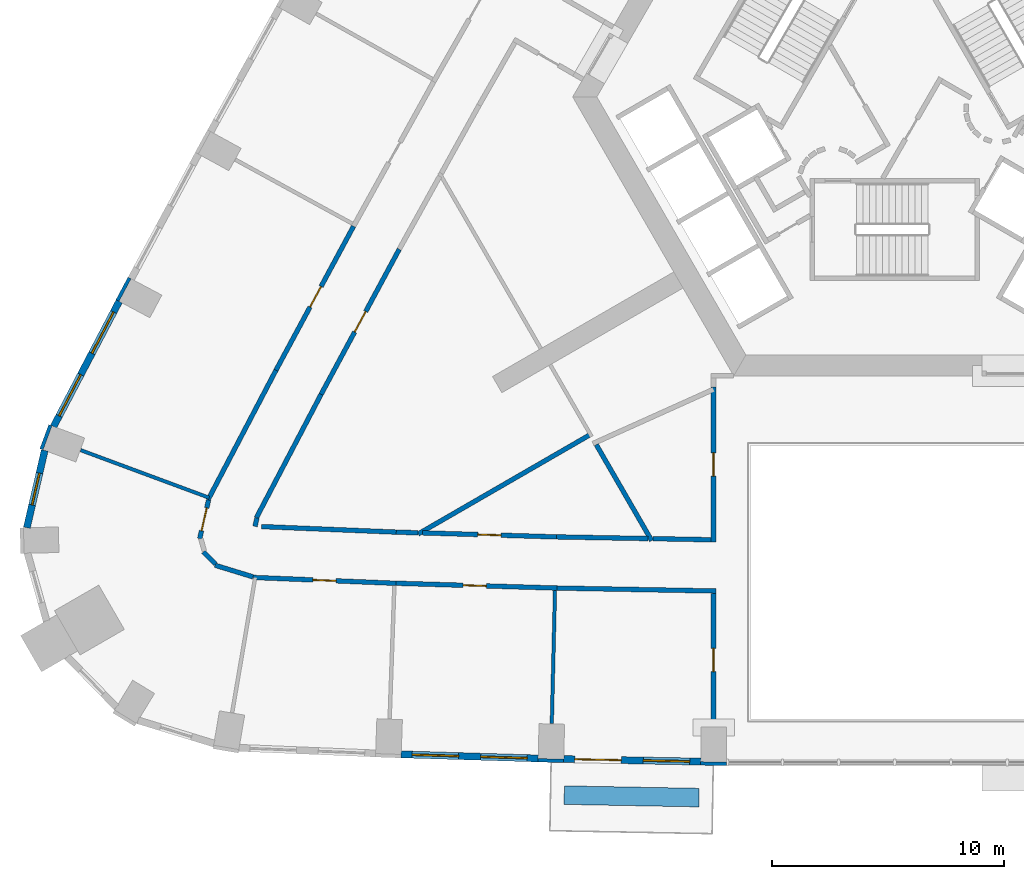
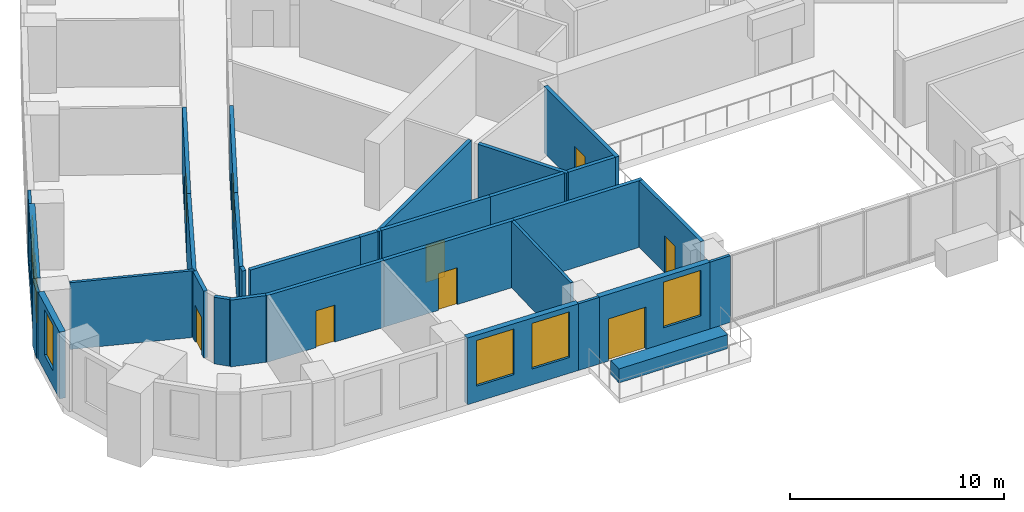
# One storey, part 4 of 13: 31 walls, 9 doors, 6 windows, 15 openings.
"""IFC4 building model written with IfcOpenShell, lengths in metres."""

from ifc_helpers import new_model, si_unit, direction, frame, frame_2d, origin, place, context, subcontext, project, spatial, rectangle, extrude, material, layer, layer_set, type_object, element, fill, save


model = new_model("IFC4")

# Units and contexts
model_context = context("Model", 3, precision=1e-05, world=origin(), true_north=direction((0.0, 1.0)))
body_context = subcontext(model_context, "Body", "Model", "MODEL_VIEW")
ifc_project = project(units=[si_unit("LENGTHUNIT", "METRE"), si_unit("AREAUNIT", "SQUARE_METRE"), si_unit("VOLUMEUNIT", "CUBIC_METRE"), si_unit("PLANEANGLEUNIT", "RADIAN"), si_unit("MASSUNIT", "GRAM", prefix="KILO")], contexts=[model_context])

# Site, building, storey
site_placement = place(None, origin())
site = spatial("IfcSite", under=ifc_project, at=site_placement, CompositionType="ELEMENT")
building_placement = place(site_placement, origin())
building = spatial("IfcBuilding", under=site, at=building_placement, Name="Entoto Arch Interchange Tower", CompositionType="ELEMENT")
storey_placement = place(building_placement, frame((0.0, 0.0, 90.800048828125)))
storey = spatial("IfcBuildingStorey", under=building, at=storey_placement, Name="L19", CompositionType="ELEMENT", Elevation=90.800048828125)

# Walls
ifc_material_1 = material(Name="Gypsum board partition on steel studs", Category="steel")
ifc_layer_1 = layer(ifc_material_1, 0.14990234375)
ifc_layer_set_1 = layer_set([ifc_layer_1], Name="Gypsum board partition on steel studs")
wall_type_1 = type_object("IfcWallType", Name="PARTITION 150", PredefinedType="PARTITIONING", material=ifc_layer_set_1)
wall_1_placement = place(storey_placement, frame((-29.493896484375, -14.740966796875, 0.0), z_axis=(0.0, 0.0, 1.0), x_axis=(-0.937719767819, 0.347392626636, 0.0)))
element("IfcWall", 1, at=wall_1_placement, inside=storey, type_object=wall_type_1, Name="wall:L19:p128", PredefinedType="PARTITIONING", context=body_context, shape_type="SweptSolid", body=[
    extrude(rectangle(XDim=5.89208984375, YDim=0.14990234375, at=frame_2d((2.946044921875, 0.0))), origin(), (0.0, 0.0, 1.0), 3.800048828125),
])
wall_2_placement = place(storey_placement, frame((-14.616943359375, -18.72412109375, 0.0), z_axis=(0.0, 0.0, 1.0), x_axis=(-0.02407553942, -0.999710142192, 0.0)))
element("IfcWall", 2, at=wall_2_placement, inside=storey, type_object=wall_type_1, Name="wall:L19:p131", PredefinedType="PARTITIONING", context=body_context, shape_type="SweptSolid", body=[
    extrude(rectangle(XDim=5.7294921875, YDim=0.14990234375, at=frame_2d((2.86474609375, 0.0))), origin(), (0.0, 0.0, 1.0), 3.800048828125),
])
ifc_layer_2 = layer(ifc_material_1, 0.199951171875)
ifc_layer_set_2 = layer_set([ifc_layer_2], Name="Gypsum board partition on steel studs")
wall_type_2 = type_object("IfcWallType", Name="PARTITION 200", PredefinedType="PARTITIONING", material=ifc_layer_set_2)
wall_3_placement = place(storey_placement, frame((-10.407958984375, -16.5009765625, 0.0), z_axis=(0.0, 0.0, 1.0), x_axis=(0.999823568917, -0.018783797216, 0.0)))
element("IfcWall", 3, at=wall_3_placement, inside=storey, type_object=wall_type_2, Name="wall:L19:p022", PredefinedType="PARTITIONING", context=body_context, shape_type="SweptSolid", body=[
    extrude(rectangle(XDim=2.508544921875, YDim=0.199951171875, at=frame_2d((1.25439453125, 0.0))), origin(), (0.0, 0.0, 1.0), 3.800048828125),
])

# Wall, opening, door
wall_4_placement = place(storey_placement, frame((-21.31689453125, -4.052978515625, 0.0), z_axis=(0.0, 0.0, 1.0), x_axis=(-0.474391588657, -0.880313932987, 0.0)))
wall_4 = element("IfcWall", 4, at=wall_4_placement, inside=storey, type_object=wall_type_2, Name="wall:L19:p024", PredefinedType="PARTITIONING", context=body_context, shape_type="SweptSolid", body=[
    extrude(rectangle(XDim=7.0849609375, YDim=0.199951171875, at=frame_2d((3.54248046875, 0.0))), origin(), (0.0, 0.0, 1.0), 3.800048828125),
])
opening_1_placement = place(wall_4_placement, frame((3.0419921875, 0.0, 0.0)))
opening_1 = element("IfcOpeningElement", 5, at=opening_1_placement, cuts=wall_4, Name="Opening L19-D30", PredefinedType="OPENING", context=body_context, shape_type="SweptSolid", body=[
    extrude(rectangle(XDim=1.0, YDim=2.10009765625, at=frame_2d((0.5, 1.050048828125))), frame((0.0, 0.10986328125, 0.0), z_axis=(0.0, -1.0, 0.0), x_axis=(1.0, 0.0, 0.0)), (0.0, 0.0, 1.0), 0.219970703125),
])
ifc_material_2 = material(Name="Timber door leaf in Steel S235 frame", Category="steel")
door_type_1 = type_object("IfcDoorType", Name="DOOR DS-10 1000x2100", OperationType="SINGLE_SWING_LEFT", PredefinedType="DOOR", material=ifc_material_2)
door_1_placement = place(opening_1_placement, origin())
door_1 = element("IfcDoor", 6, at=door_1_placement, inside=storey, type_object=door_type_1, Name="door:L19:30", OperationType="SINGLE_SWING_RIGHT", OverallHeight=2.10009765625, OverallWidth=1.0, PredefinedType="DOOR", context=body_context, shape_type="SweptSolid", body=[
    extrude(rectangle(XDim=1.0, YDim=2.10009765625, at=frame_2d((0.5, 1.050048828125))), frame((0.0, 0.02490234375, 0.0), z_axis=(0.0, -1.0, 0.0), x_axis=(1.0, 0.0, 0.0)), (0.0, 0.0, 1.0), 0.050048828125),
])
fill(opening_1, door_1)

# Walls
wall_5_placement = place(storey_placement, frame((-24.677978515625, -10.2900390625, 0.0), z_axis=(0.0, 0.0, 1.0), x_axis=(-0.464203280494, -0.885728691179, 0.0)))
element("IfcWall", 7, at=wall_5_placement, inside=storey, type_object=wall_type_2, Name="wall:L19:p025", PredefinedType="PARTITIONING", context=body_context, shape_type="SweptSolid", body=[
    extrude(rectangle(XDim=5.9951171875, YDim=0.199951171875, at=frame_2d((2.99755859375, 0.0))), origin(), (0.0, 0.0, 1.0), 3.800048828125),
])
wall_6_placement = place(storey_placement, frame((-27.43701171875, -15.60888671875, 0.0), z_axis=(0.0, 0.0, 1.0), x_axis=(-0.224098195188, -0.97456656977, 0.0)))
element("IfcWall", 8, at=wall_6_placement, inside=storey, type_object=wall_type_2, Name="wall:L19:p026", PredefinedType="PARTITIONING", context=body_context, shape_type="SweptSolid", body=[
    extrude(rectangle(XDim=0.374755859375, YDim=0.199951171875, at=frame_2d((0.1875, 0.0))), origin(), (0.0, 0.0, 1.0), 3.800048828125),
])
wall_7_placement = place(storey_placement, frame((-27.239990234375, -15.98193359375, 0.0), z_axis=(0.0, 0.0, 1.0), x_axis=(0.999157128819, -0.041049140426, 0.0)))
element("IfcWall", 9, at=wall_7_placement, inside=storey, type_object=wall_type_2, Name="wall:L19:p027", PredefinedType="PARTITIONING", context=body_context, shape_type="SweptSolid", body=[
    extrude(rectangle(XDim=5.798828125, YDim=0.199951171875, at=frame_2d((2.8994140625, 0.0))), origin(), (0.0, 0.0, 1.0), 3.800048828125),
])
wall_8_placement = place(storey_placement, frame((-21.446044921875, -16.219970703125, 0.0), z_axis=(0.0, 0.0, 1.0), x_axis=(0.999542625536, -0.030241358047, 0.0)))
element("IfcWall", 10, at=wall_8_placement, inside=storey, type_object=wall_type_2, Name="wall:L19:p028", PredefinedType="PARTITIONING", context=body_context, shape_type="SweptSolid", body=[
    extrude(rectangle(XDim=0.928466796875, YDim=0.199951171875, at=frame_2d((0.46435546875, 0.0))), origin(), (0.0, 0.0, 1.0), 3.800048828125),
])

# Wall, opening, door
wall_9_placement = place(storey_placement, frame((-20.318115234375, -16.2529296875, 0.0), z_axis=(0.0, 0.0, 1.0), x_axis=(0.999553385537, -0.029883598524, 0.0)))
wall_9 = element("IfcWall", 11, at=wall_9_placement, inside=storey, type_object=wall_type_2, Name="wall:L19:p029", PredefinedType="PARTITIONING", context=body_context, shape_type="SweptSolid", body=[
    extrude(rectangle(XDim=5.759765625, YDim=0.199951171875, at=frame_2d((2.8798828125, 0.0))), origin(), (0.0, 0.0, 1.0), 3.800048828125),
])
opening_2_placement = place(wall_9_placement, frame((2.3798828125, 0.0, 0.0)))
opening_2 = element("IfcOpeningElement", 12, at=opening_2_placement, cuts=wall_9, Name="Opening L19-D31", PredefinedType="OPENING", context=body_context, shape_type="SweptSolid", body=[
    extrude(rectangle(XDim=1.0, YDim=2.10009765625, at=frame_2d((0.5, 1.050048828125))), frame((0.0, 0.10986328125, 0.0), z_axis=(0.0, -1.0, 0.0), x_axis=(1.0, 0.0, 0.0)), (0.0, 0.0, 1.0), 0.219970703125),
])
door_2_placement = place(opening_2_placement, origin())
door_2 = element("IfcDoor", 13, at=door_2_placement, inside=storey, type_object=door_type_1, Name="door:L19:31", OperationType="SINGLE_SWING_LEFT", OverallHeight=2.10009765625, OverallWidth=1.0, PredefinedType="DOOR", context=body_context, shape_type="SweptSolid", body=[
    extrude(rectangle(XDim=1.0, YDim=2.10009765625, at=frame_2d((0.5, 1.050048828125))), frame((0.0, 0.02490234375, 0.0), z_axis=(0.0, -1.0, 0.0), x_axis=(1.0, 0.0, 0.0)), (0.0, 0.0, 1.0), 0.050048828125),
])
fill(opening_2, door_2)

# Walls
wall_10_placement = place(storey_placement, frame((-14.56103515625, -16.425048828125, 0.0), z_axis=(0.0, 0.0, 1.0), x_axis=(0.999829548691, -0.018462761553, 0.0)))
element("IfcWall", 14, at=wall_10_placement, inside=storey, type_object=wall_type_2, Name="wall:L19:p030", PredefinedType="PARTITIONING", context=body_context, shape_type="SweptSolid", body=[
    extrude(rectangle(XDim=3.953857421875, YDim=0.199951171875, at=frame_2d((1.97705078125, 0.0))), origin(), (0.0, 0.0, 1.0), 3.800048828125),
])
wall_11_placement = place(storey_placement, frame((-29.541015625, -14.8291015625, 0.0), z_axis=(0.0, 0.0, 1.0), x_axis=(0.46422598759, 0.885716790202, 0.0)))
element("IfcWall", 15, at=wall_11_placement, inside=storey, type_object=wall_type_2, Name="wall:L19:p057", PredefinedType="PARTITIONING", context=body_context, shape_type="SweptSolid", body=[
    extrude(rectangle(XDim=6.289794921875, YDim=0.199951171875, at=frame_2d((3.14501953125, 0.0))), origin(), (0.0, 0.0, 1.0), 3.800048828125),
])

# Wall, opening, door
wall_12_placement = place(storey_placement, frame((-26.62109375, -9.258056640625, 0.0), z_axis=(0.0, 0.0, 1.0), x_axis=(0.474414295505, 0.880301696136, 0.0)))
wall_12 = element("IfcWall", 16, at=wall_12_placement, inside=storey, type_object=wall_type_2, Name="wall:L19:p058", PredefinedType="PARTITIONING", context=body_context, shape_type="SweptSolid", body=[
    extrude(rectangle(XDim=7.036376953125, YDim=0.199951171875, at=frame_2d((3.51806640625, 0.0))), origin(), (0.0, 0.0, 1.0), 3.800048828125),
])
opening_3_placement = place(wall_12_placement, frame((3.093017578125, 0.0, 0.0)))
opening_3 = element("IfcOpeningElement", 17, at=opening_3_placement, cuts=wall_12, Name="Opening L19-D18", PredefinedType="OPENING", context=body_context, shape_type="SweptSolid", body=[
    extrude(rectangle(XDim=1.0, YDim=2.10009765625, at=frame_2d((0.5, 1.050048828125))), frame((0.0, 0.10986328125, 0.0), z_axis=(0.0, -1.0, 0.0), x_axis=(1.0, 0.0, 0.0)), (0.0, 0.0, 1.0), 0.219970703125),
])
door_3_placement = place(opening_3_placement, origin())
door_3 = element("IfcDoor", 18, at=door_3_placement, inside=storey, type_object=door_type_1, Name="door:L19:18", OperationType="SINGLE_SWING_LEFT", OverallHeight=2.10009765625, OverallWidth=1.0, PredefinedType="DOOR", context=body_context, shape_type="SweptSolid", body=[
    extrude(rectangle(XDim=1.0, YDim=2.10009765625, at=frame_2d((0.5, 1.050048828125))), frame((0.0, 0.02490234375, 0.0), z_axis=(0.0, -1.0, 0.0), x_axis=(1.0, 0.0, 0.0)), (0.0, 0.0, 1.0), 0.050048828125),
])
fill(opening_3, door_3)

# Walls
wall_13_placement = place(storey_placement, frame((-27.60791015625, -18.14404296875, 0.0), z_axis=(0.0, 0.0, 1.0), x_axis=(-0.956137025409, 0.292919764852, 0.0)))
element("IfcWall", 19, at=wall_13_placement, inside=storey, type_object=wall_type_2, Name="wall:L19:p059", PredefinedType="PARTITIONING", context=body_context, shape_type="SweptSolid", body=[
    extrude(rectangle(XDim=1.70703125, YDim=0.199951171875, at=frame_2d((0.853515625, 0.0))), origin(), (0.0, 0.0, 1.0), 3.800048828125),
])
wall_14_placement = place(storey_placement, frame((-29.215087890625, -17.60205078125, 0.0), z_axis=(0.0, 0.0, 1.0), x_axis=(-0.698331924638, 0.715774072617, 0.0)))
element("IfcWall", 20, at=wall_14_placement, inside=storey, type_object=wall_type_2, Name="wall:L19:p060", PredefinedType="PARTITIONING", context=body_context, shape_type="SweptSolid", body=[
    extrude(rectangle(XDim=0.755859375, YDim=0.199951171875, at=frame_2d((0.3779296875, 0.0))), origin(), (0.0, 0.0, 1.0), 3.800048828125),
])

# Wall, opening, door
wall_15_placement = place(storey_placement, frame((-29.89990234375, -16.5009765625, 0.0), z_axis=(0.0, 0.0, 1.0), x_axis=(0.224316169854, 0.974516421587, 0.0)))
wall_15 = element("IfcWall", 21, at=wall_15_placement, inside=storey, type_object=wall_type_2, Name="wall:L19:p062", PredefinedType="PARTITIONING", context=body_context, shape_type="SweptSolid", body=[
    extrude(rectangle(XDim=1.70654296875, YDim=0.199951171875, at=frame_2d((0.853271484375, 0.0))), origin(), (0.0, 0.0, 1.0), 3.800048828125),
])
opening_4_placement = place(wall_15_placement, frame((0.35302734375, 0.0, 0.0)))
opening_4 = element("IfcOpeningElement", 22, at=opening_4_placement, cuts=wall_15, Name="Opening L19-D19", PredefinedType="OPENING", context=body_context, shape_type="SweptSolid", body=[
    extrude(rectangle(XDim=1.0, YDim=2.10009765625, at=frame_2d((0.5, 1.050048828125))), frame((0.0, 0.10986328125, 0.0), z_axis=(0.0, -1.0, 0.0), x_axis=(1.0, 0.0, 0.0)), (0.0, 0.0, 1.0), 0.219970703125),
])
door_4_placement = place(opening_4_placement, origin())
door_4 = element("IfcDoor", 23, at=door_4_placement, inside=storey, type_object=door_type_1, Name="door:L19:19", OperationType="SINGLE_SWING_RIGHT", OverallHeight=2.10009765625, OverallWidth=1.0, PredefinedType="DOOR", context=body_context, shape_type="SweptSolid", body=[
    extrude(rectangle(XDim=1.0, YDim=2.10009765625, at=frame_2d((0.5, 1.050048828125))), frame((0.0, 0.02490234375, 0.0), z_axis=(0.0, -1.0, 0.0), x_axis=(1.0, 0.0, 0.0)), (0.0, 0.0, 1.0), 0.050048828125),
])
fill(opening_4, door_4)

wall_16_placement = place(storey_placement, frame((-21.448974609375, -18.422119140625, 0.0), z_axis=(0.0, 0.0, 1.0), x_axis=(-0.999157588083, 0.041037960189, 0.0)))
wall_16 = element("IfcWall", 24, at=wall_16_placement, inside=storey, type_object=wall_type_2, Name="wall:L19:p063", PredefinedType="PARTITIONING", context=body_context, shape_type="SweptSolid", body=[
    extrude(rectangle(XDim=6.169189453125, YDim=0.199951171875, at=frame_2d((3.08447265625, 0.0))), origin(), (0.0, 0.0, 1.0), 3.800048828125),
])
opening_5_placement = place(wall_16_placement, frame((2.583984375, 0.0, 0.0)))
opening_5 = element("IfcOpeningElement", 25, at=opening_5_placement, cuts=wall_16, Name="Opening L19-D20", PredefinedType="OPENING", context=body_context, shape_type="SweptSolid", body=[
    extrude(rectangle(XDim=1.0, YDim=2.10009765625, at=frame_2d((0.5, 1.050048828125))), frame((0.0, 0.10986328125, 0.0), z_axis=(0.0, -1.0, 0.0), x_axis=(1.0, 0.0, 0.0)), (0.0, 0.0, 1.0), 0.219970703125),
])
door_5_placement = place(opening_5_placement, origin())
door_5 = element("IfcDoor", 26, at=door_5_placement, inside=storey, type_object=door_type_1, Name="door:L19:20", OperationType="SINGLE_SWING_LEFT", OverallHeight=2.10009765625, OverallWidth=1.0, PredefinedType="DOOR", context=body_context, shape_type="SweptSolid", body=[
    extrude(rectangle(XDim=1.0, YDim=2.10009765625, at=frame_2d((0.5, 1.050048828125))), frame((0.0, 0.02490234375, 0.0), z_axis=(0.0, -1.0, 0.0), x_axis=(1.0, 0.0, 0.0)), (0.0, 0.0, 1.0), 0.050048828125),
])
fill(opening_5, door_5)

wall_17_placement = place(storey_placement, frame((-14.5390625, -18.6259765625, 0.0), z_axis=(0.0, 0.0, 1.0), x_axis=(-0.999555675329, 0.029806910574, 0.0)))
wall_17 = element("IfcWall", 27, at=wall_17_placement, inside=storey, type_object=wall_type_2, Name="wall:L19:p064", PredefinedType="PARTITIONING", context=body_context, shape_type="SweptSolid", body=[
    extrude(rectangle(XDim=6.9130859375, YDim=0.199951171875, at=frame_2d((3.45654296875, 0.0))), origin(), (0.0, 0.0, 1.0), 3.800048828125),
])
opening_6_placement = place(wall_17_placement, frame((3.031005859375, 0.0, 0.0)))
opening_6 = element("IfcOpeningElement", 28, at=opening_6_placement, cuts=wall_17, Name="Opening L19-D21", PredefinedType="OPENING", context=body_context, shape_type="SweptSolid", body=[
    extrude(rectangle(XDim=1.0, YDim=2.10009765625, at=frame_2d((0.5, 1.050048828125))), frame((0.0, 0.10986328125, 0.0), z_axis=(0.0, -1.0, 0.0), x_axis=(1.0, 0.0, 0.0)), (0.0, 0.0, 1.0), 0.219970703125),
])
door_6_placement = place(opening_6_placement, origin())
door_6 = element("IfcDoor", 29, at=door_6_placement, inside=storey, type_object=door_type_1, Name="door:L19:21", OperationType="SINGLE_SWING_LEFT", OverallHeight=2.10009765625, OverallWidth=1.0, PredefinedType="DOOR", context=body_context, shape_type="SweptSolid", body=[
    extrude(rectangle(XDim=1.0, YDim=2.10009765625, at=frame_2d((0.5, 1.050048828125))), frame((0.0, 0.02490234375, 0.0), z_axis=(0.0, -1.0, 0.0), x_axis=(1.0, 0.0, 0.0)), (0.0, 0.0, 1.0), 0.050048828125),
])
fill(opening_6, door_6)

# Wall
wall_18_placement = place(storey_placement, frame((-7.699951171875, -18.751953125, 0.0), z_axis=(0.0, 0.0, 1.0), x_axis=(-0.999830394604, 0.018416895142, 0.0)))
element("IfcWall", 30, at=wall_18_placement, inside=storey, type_object=wall_type_2, Name="wall:L19:p065", PredefinedType="PARTITIONING", context=body_context, shape_type="SweptSolid", body=[
    extrude(rectangle(XDim=6.84033203125, YDim=0.199951171875, at=frame_2d((3.420166015625, 0.0))), origin(), (0.0, 0.0, 1.0), 3.800048828125),
])

# Wall, opening, door
wall_19_placement = place(storey_placement, frame((-7.800048828125, -16.64892578125, 0.0), z_axis=(0.0, 0.0, 1.0), x_axis=(0.0, 1.0, 0.0)))
wall_19 = element("IfcWall", 31, at=wall_19_placement, inside=storey, type_object=wall_type_2, Name="wall:L19:p096", PredefinedType="PARTITIONING", context=body_context, shape_type="SweptSolid", body=[
    extrude(rectangle(XDim=6.6689453125, YDim=0.199951171875, at=frame_2d((3.33447265625, 0.0))), origin(), (0.0, 0.0, 1.0), 3.800048828125),
])
opening_7_placement = place(wall_19_placement, frame((2.8349609375, 0.0, 0.0)))
opening_7 = element("IfcOpeningElement", 32, at=opening_7_placement, cuts=wall_19, Name="Opening L19-D29", PredefinedType="OPENING", context=body_context, shape_type="SweptSolid", body=[
    extrude(rectangle(XDim=1.0, YDim=2.10009765625, at=frame_2d((0.5, 1.050048828125))), frame((0.0, 0.10986328125, 0.0), z_axis=(0.0, -1.0, 0.0), x_axis=(1.0, 0.0, 0.0)), (0.0, 0.0, 1.0), 0.219970703125),
])
door_7_placement = place(opening_7_placement, origin())
door_7 = element("IfcDoor", 33, at=door_7_placement, inside=storey, type_object=door_type_1, Name="door:L19:29", OperationType="SINGLE_SWING_LEFT", OverallHeight=2.10009765625, OverallWidth=1.0, PredefinedType="DOOR", context=body_context, shape_type="SweptSolid", body=[
    extrude(rectangle(XDim=1.0, YDim=2.10009765625, at=frame_2d((0.5, 1.050048828125))), frame((0.0, 0.02490234375, 0.0), z_axis=(0.0, -1.0, 0.0), x_axis=(1.0, 0.0, 0.0)), (0.0, 0.0, 1.0), 0.050048828125),
])
fill(opening_7, door_7)

wall_20_placement = place(storey_placement, frame((-7.800048828125, -24.5810546875, 0.0), z_axis=(0.0, 0.0, 1.0), x_axis=(0.0, 1.0, 0.0)))
wall_20 = element("IfcWall", 34, at=wall_20_placement, inside=storey, type_object=wall_type_2, Name="wall:L19:p098", PredefinedType="PARTITIONING", context=body_context, shape_type="SweptSolid", body=[
    extrude(rectangle(XDim=5.73095703125, YDim=0.199951171875, at=frame_2d((2.865478515625, 0.0))), origin(), (0.0, 0.0, 1.0), 3.800048828125),
])
opening_8_placement = place(wall_20_placement, frame((2.365966796875, 0.0, 0.0)))
opening_8 = element("IfcOpeningElement", 35, at=opening_8_placement, cuts=wall_20, Name="Opening L19-D22", PredefinedType="OPENING", context=body_context, shape_type="SweptSolid", body=[
    extrude(rectangle(XDim=1.0, YDim=2.10009765625, at=frame_2d((0.5, 1.050048828125))), frame((0.0, 0.10986328125, 0.0), z_axis=(0.0, -1.0, 0.0), x_axis=(1.0, 0.0, 0.0)), (0.0, 0.0, 1.0), 0.219970703125),
])
door_8_placement = place(opening_8_placement, origin())
door_8 = element("IfcDoor", 36, at=door_8_placement, inside=storey, type_object=door_type_1, Name="door:L19:22", OperationType="SINGLE_SWING_LEFT", OverallHeight=2.10009765625, OverallWidth=1.0, PredefinedType="DOOR", context=body_context, shape_type="SweptSolid", body=[
    extrude(rectangle(XDim=1.0, YDim=2.10009765625, at=frame_2d((0.5, 1.050048828125))), frame((0.0, 0.02490234375, 0.0), z_axis=(0.0, -1.0, 0.0), x_axis=(1.0, 0.0, 0.0)), (0.0, 0.0, 1.0), 0.050048828125),
])
fill(opening_8, door_8)

# Walls
wall_21_placement = place(storey_placement, frame((-10.4580078125, -16.5859375, 0.0), z_axis=(0.0, 0.0, 1.0), x_axis=(-0.500121439648, 0.865955279218, 0.0)))
element("IfcWall", 37, at=wall_21_placement, inside=storey, type_object=wall_type_2, Name="wall:L19:p109", PredefinedType="PARTITIONING", context=body_context, shape_type="SweptSolid", body=[
    extrude(rectangle(XDim=4.766845703125, YDim=0.199951171875, at=frame_2d((2.38330078125, 0.0))), origin(), (0.0, 0.0, 1.0), 3.800048828125),
])
wall_22_placement = place(storey_placement, frame((-13.072021484375, -12.009033203125, 0.0), z_axis=(0.0, 0.0, 1.0), x_axis=(-0.865993734772, -0.500054848326, 0.0)))
element("IfcWall", 38, at=wall_22_placement, inside=storey, type_object=wall_type_2, Name="wall:L19:p110", PredefinedType="PARTITIONING", context=body_context, shape_type="SweptSolid", body=[
    extrude(rectangle(XDim=8.5830078125, YDim=0.199951171875, at=frame_2d((4.29150390625, 0.0))), origin(), (0.0, 0.0, 1.0), 3.800048828125),
])
ifc_material_3 = material(Name="Board-marked precast concrete C50/60", Category="concrete")
ifc_layer_3 = layer(ifc_material_3, 0.800048828125)
ifc_layer_set_3 = layer_set([ifc_layer_3], Name="Board-marked precast concrete C50/60")
wall_type_3 = type_object("IfcWallType", Name="PLANTER RC 800 Olea europaea subsp. cuspidata", PredefinedType="STANDARD", material=ifc_layer_set_3)
wall_23_placement = place(storey_placement, frame((-14.220947265625, -27.532958984375, 0.0), z_axis=(0.0, 0.0, 1.0), x_axis=(0.999829787181, -0.018449841877, 0.0)))
element("IfcWall", 39, at=wall_23_placement, inside=storey, type_object=wall_type_3, Name="Planter S-03 L19", PredefinedType="STANDARD", context=body_context, shape_type="SweptSolid", body=[
    extrude(rectangle(XDim=5.7958984375, YDim=0.800048828125, at=frame_2d((2.89794921875, 0.0))), origin(), (0.0, 0.0, 1.0), 0.800048828125),
])

# Wall, openings, windows
ifc_material_4 = material(Name="Welded tuff (ignimbrite) cladding, warm buff", Category="masonry")
ifc_layer_4 = layer(ifc_material_4, 0.300048828125)
ifc_layer_set_4 = layer_set([ifc_layer_4], Name="Welded tuff (ignimbrite) cladding, warm buff")
wall_type_4 = type_object("IfcWallType", Name="STONE INFILL WALL 300", PredefinedType="STANDARD", material=ifc_layer_set_4)
wall_24_placement = place(storey_placement, frame((-21.235107421875, -25.780029296875, 0.0), z_axis=(0.0, 0.0, 1.0), x_axis=(0.999554487555, -0.029846715213, 0.0)))
wall_24 = element("IfcWall", 40, at=wall_24_placement, inside=storey, type_object=wall_type_4, Name="Facade wall S-02 L19", PredefinedType="STANDARD", context=body_context, shape_type="SweptSolid", body=[
    extrude(rectangle(XDim=5.897705078125, YDim=0.300048828125, at=frame_2d((2.94873046875, 0.0))), origin(), (0.0, 0.0, 1.0), 3.800048828125),
])
opening_9_placement = place(wall_24_placement, frame((0.47412109375, 0.0, 0.89990234375)))
opening_9 = element("IfcOpeningElement", 41, at=opening_9_placement, cuts=wall_24, Name="Opening WO-C", PredefinedType="OPENING", context=body_context, shape_type="SweptSolid", body=[
    extrude(rectangle(XDim=2.0, YDim=2.60009765625, at=frame_2d((1.0, 1.300048828125))), frame((0.0, 0.16015625, 0.0), z_axis=(0.0, -1.0, 0.0), x_axis=(1.0, 0.0, 0.0)), (0.0, 0.0, 1.0), 0.320068359375),
])
opening_10_placement = place(wall_24_placement, frame((3.423095703125, 0.0, 0.89990234375)))
opening_10 = element("IfcOpeningElement", 42, at=opening_10_placement, cuts=wall_24, Name="Opening WO-C", PredefinedType="OPENING", context=body_context, shape_type="SweptSolid", body=[
    extrude(rectangle(XDim=2.0, YDim=2.60009765625, at=frame_2d((1.0, 1.300048828125))), frame((0.0, 0.16015625, 0.0), z_axis=(0.0, -1.0, 0.0), x_axis=(1.0, 0.0, 0.0)), (0.0, 0.0, 1.0), 0.320068359375),
])
ifc_material_5 = material(Name="Clear glass, low-e double glazed", Category="glass")
window_type_1 = type_object("IfcWindowType", Name="WINDOW WO-C 2000x2600", PartitioningType="DOUBLE_PANEL_VERTICAL", PredefinedType="WINDOW", material=ifc_material_5)
window_1_placement = place(opening_9_placement, origin())
window_1 = element("IfcWindow", 43, at=window_1_placement, inside=storey, type_object=window_type_1, Name="Window WO-C S-02 L19", OverallHeight=2.60009765625, OverallWidth=2.0, PartitioningType="SINGLE_PANEL", PredefinedType="WINDOW", context=body_context, shape_type="SweptSolid", body=[
    extrude(rectangle(XDim=2.0, YDim=2.60009765625, at=frame_2d((1.0, 1.300048828125))), frame((0.0, 0.030029296875, 0.0), z_axis=(0.0, -1.0, 0.0), x_axis=(1.0, 0.0, 0.0)), (0.0, 0.0, 1.0), 0.06005859375),
])
fill(opening_9, window_1)
window_2_placement = place(opening_10_placement, origin())
window_2 = element("IfcWindow", 44, at=window_2_placement, inside=storey, type_object=window_type_1, Name="Window WO-C S-02 L19", OverallHeight=2.60009765625, OverallWidth=2.0, PartitioningType="SINGLE_PANEL", PredefinedType="WINDOW", context=body_context, shape_type="SweptSolid", body=[
    extrude(rectangle(XDim=2.0, YDim=2.60009765625, at=frame_2d((1.0, 1.300048828125))), frame((0.0, 0.030029296875, 0.0), z_axis=(0.0, -1.0, 0.0), x_axis=(1.0, 0.0, 0.0)), (0.0, 0.0, 1.0), 0.06005859375),
])
fill(opening_10, window_2)

# Wall, openings, door, window
wall_25_placement = place(storey_placement, frame((-14.241943359375, -25.98193359375, 0.0), z_axis=(0.0, 0.0, 1.0), x_axis=(0.999828633111, -0.018512277318, 0.0)))
wall_25 = element("IfcWall", 45, at=wall_25_placement, inside=storey, type_object=wall_type_4, Name="Facade wall S-03 L19", PredefinedType="STANDARD", context=body_context, shape_type="SweptSolid", body=[
    extrude(rectangle(XDim=5.89501953125, YDim=0.300048828125, at=frame_2d((2.947509765625, 0.0))), origin(), (0.0, 0.0, 1.0), 3.800048828125),
])
opening_11_placement = place(wall_25_placement, frame((0.47412109375, 0.0, 0.0)))
opening_11 = element("IfcOpeningElement", 46, at=opening_11_placement, cuts=wall_25, Name="Opening DB-S-03-L19", PredefinedType="OPENING", context=body_context, shape_type="SweptSolid", body=[
    extrude(rectangle(XDim=2.0, YDim=2.39990234375, at=frame_2d((1.0, 1.199951171875))), frame((0.0, 0.16015625, 0.0), z_axis=(0.0, -1.0, 0.0), x_axis=(1.0, 0.0, 0.0)), (0.0, 0.0, 1.0), 0.320068359375),
])
opening_12_placement = place(wall_25_placement, frame((3.4208984375, 0.0, 0.89990234375)))
opening_12 = element("IfcOpeningElement", 47, at=opening_12_placement, cuts=wall_25, Name="Opening WO-C", PredefinedType="OPENING", context=body_context, shape_type="SweptSolid", body=[
    extrude(rectangle(XDim=2.0, YDim=2.60009765625, at=frame_2d((1.0, 1.300048828125))), frame((0.0, 0.16015625, 0.0), z_axis=(0.0, -1.0, 0.0), x_axis=(1.0, 0.0, 0.0)), (0.0, 0.0, 1.0), 0.320068359375),
])
ifc_material_6 = material(Name="Aluminium and clear glass, anodised", Category="aluminium")
door_type_2 = type_object("IfcDoorType", Name="BALCONY DOOR DB 2000x2400", OperationType="SLIDING_TO_LEFT", PredefinedType="DOOR", material=ifc_material_6)
door_9_placement = place(opening_11_placement, origin())
door_9 = element("IfcDoor", 48, at=door_9_placement, inside=storey, type_object=door_type_2, Name="Balcony door S-03 L19", OperationType="SLIDING_TO_LEFT", OverallHeight=2.39990234375, OverallWidth=2.0, PredefinedType="DOOR", context=body_context, shape_type="SweptSolid", body=[
    extrude(rectangle(XDim=2.0, YDim=2.39990234375, at=frame_2d((1.0, 1.199951171875))), frame((0.0, 0.02490234375, 0.0), z_axis=(0.0, -1.0, 0.0), x_axis=(1.0, 0.0, 0.0)), (0.0, 0.0, 1.0), 0.050048828125),
])
fill(opening_11, door_9)
window_3_placement = place(opening_12_placement, origin())
window_3 = element("IfcWindow", 49, at=window_3_placement, inside=storey, type_object=window_type_1, Name="Window WO-C S-03 L19", OverallHeight=2.60009765625, OverallWidth=2.0, PartitioningType="SINGLE_PANEL", PredefinedType="WINDOW", context=body_context, shape_type="SweptSolid", body=[
    extrude(rectangle(XDim=2.0, YDim=2.60009765625, at=frame_2d((1.0, 1.300048828125))), frame((0.0, 0.030029296875, 0.0), z_axis=(0.0, -1.0, 0.0), x_axis=(1.0, 0.0, 0.0)), (0.0, 0.0, 1.0), 0.06005859375),
])
fill(opening_12, window_3)

# Wall, openings, windows
wall_26_placement = place(storey_placement, frame((-33.365966796875, -6.294921875, 0.0), z_axis=(0.0, 0.0, 1.0), x_axis=(-0.464187178015, -0.885737130173, 0.0)))
wall_26 = element("IfcWall", 50, at=wall_26_placement, inside=storey, type_object=wall_type_4, Name="Facade wall NW-08 L19", PredefinedType="STANDARD", context=body_context, shape_type="SweptSolid", body=[
    extrude(rectangle(XDim=6.0751953125, YDim=0.300048828125, at=frame_2d((3.03759765625, 0.0))), origin(), (0.0, 0.0, 1.0), 3.800048828125),
])
opening_13_placement = place(wall_26_placement, frame((0.51904296875, 0.0, 0.89990234375)))
opening_13 = element("IfcOpeningElement", 51, at=opening_13_placement, cuts=wall_26, Name="Opening WO-C", PredefinedType="OPENING", context=body_context, shape_type="SweptSolid", body=[
    extrude(rectangle(XDim=2.0, YDim=2.60009765625, at=frame_2d((1.0, 1.300048828125))), frame((0.0, 0.16015625, 0.0), z_axis=(0.0, -1.0, 0.0), x_axis=(1.0, 0.0, 0.0)), (0.0, 0.0, 1.0), 0.320068359375),
])
opening_14_placement = place(wall_26_placement, frame((3.555908203125, 0.0, 0.89990234375)))
opening_14 = element("IfcOpeningElement", 52, at=opening_14_placement, cuts=wall_26, Name="Opening WO-C", PredefinedType="OPENING", context=body_context, shape_type="SweptSolid", body=[
    extrude(rectangle(XDim=2.0, YDim=2.60009765625, at=frame_2d((1.0, 1.300048828125))), frame((0.0, 0.16015625, 0.0), z_axis=(0.0, -1.0, 0.0), x_axis=(1.0, 0.0, 0.0)), (0.0, 0.0, 1.0), 0.320068359375),
])
window_4_placement = place(opening_13_placement, origin())
window_4 = element("IfcWindow", 53, at=window_4_placement, inside=storey, type_object=window_type_1, Name="Window WO-C NW-08 L19", OverallHeight=2.60009765625, OverallWidth=2.0, PartitioningType="SINGLE_PANEL", PredefinedType="WINDOW", context=body_context, shape_type="SweptSolid", body=[
    extrude(rectangle(XDim=2.0, YDim=2.60009765625, at=frame_2d((1.0, 1.300048828125))), frame((0.0, 0.030029296875, 0.0), z_axis=(0.0, -1.0, 0.0), x_axis=(1.0, 0.0, 0.0)), (0.0, 0.0, 1.0), 0.06005859375),
])
fill(opening_13, window_4)
window_5_placement = place(opening_14_placement, origin())
window_5 = element("IfcWindow", 54, at=window_5_placement, inside=storey, type_object=window_type_1, Name="Window WO-C NW-08 L19", OverallHeight=2.60009765625, OverallWidth=2.0, PartitioningType="SINGLE_PANEL", PredefinedType="WINDOW", context=body_context, shape_type="SweptSolid", body=[
    extrude(rectangle(XDim=2.0, YDim=2.60009765625, at=frame_2d((1.0, 1.300048828125))), frame((0.0, 0.030029296875, 0.0), z_axis=(0.0, -1.0, 0.0), x_axis=(1.0, 0.0, 0.0)), (0.0, 0.0, 1.0), 0.06005859375),
])
fill(opening_14, window_5)

# Wall, opening, window
wall_27_placement = place(storey_placement, frame((-36.568115234375, -12.7060546875, 0.0), z_axis=(0.0, 0.0, 1.0), x_axis=(-0.224859506699, -0.974391195695, 0.0)))
wall_27 = element("IfcWall", 55, at=wall_27_placement, inside=storey, type_object=wall_type_4, Name="Facade wall SW-01 L19", PredefinedType="STANDARD", context=body_context, shape_type="SweptSolid", body=[
    extrude(rectangle(XDim=3.410400390625, YDim=0.300048828125, at=frame_2d((1.705078125, 0.0))), origin(), (0.0, 0.0, 1.0), 3.800048828125),
])
opening_15_placement = place(wall_27_placement, frame((1.0048828125, 0.0, 0.89990234375)))
opening_15 = element("IfcOpeningElement", 56, at=opening_15_placement, cuts=wall_27, Name="Opening WO-B", PredefinedType="OPENING", context=body_context, shape_type="SweptSolid", body=[
    extrude(rectangle(XDim=1.39990234375, YDim=2.60009765625, at=frame_2d((0.699951171875, 1.300048828125))), frame((0.0, 0.16015625, 0.0), z_axis=(0.0, -1.0, 0.0), x_axis=(1.0, 0.0, 0.0)), (0.0, 0.0, 1.0), 0.320068359375),
])
window_type_2 = type_object("IfcWindowType", Name="WINDOW WO-B 1400x2600", PartitioningType="DOUBLE_PANEL_VERTICAL", PredefinedType="WINDOW", material=ifc_material_5)
window_6_placement = place(opening_15_placement, origin())
window_6 = element("IfcWindow", 57, at=window_6_placement, inside=storey, type_object=window_type_2, Name="Window WO-B SW-01 L19", OverallHeight=2.60009765625, OverallWidth=1.39990234375, PartitioningType="SINGLE_PANEL", PredefinedType="WINDOW", context=body_context, shape_type="SweptSolid", body=[
    extrude(rectangle(XDim=1.39990234375, YDim=2.60009765625, at=frame_2d((0.699951171875, 1.300048828125))), frame((0.0, 0.030029296875, 0.0), z_axis=(0.0, -1.0, 0.0), x_axis=(1.0, 0.0, 0.0)), (0.0, 0.0, 1.0), 0.06005859375),
])
fill(opening_15, window_6)

# Walls
ifc_layer_5 = layer(ifc_material_4, 0.14990234375)
ifc_layer_set_5 = layer_set([ifc_layer_5], Name="Welded tuff (ignimbrite) cladding, warm buff")
wall_type_5 = type_object("IfcWallType", Name="STONE PIER CLADDING 150", PredefinedType="STANDARD", material=ifc_layer_set_5)
wall_28_placement = place(storey_placement, frame((-32.919921875, -5.2880859375, 0.0), z_axis=(0.0, 0.0, 1.0), x_axis=(-0.469366248657, -0.883003581319, 0.0)))
element("IfcWall", 58, at=wall_28_placement, inside=storey, type_object=wall_type_5, Name="Stone pier NW08 L19", PredefinedType="STANDARD", context=body_context, shape_type="SweptSolid", body=[
    extrude(rectangle(XDim=1.099609375, YDim=0.14990234375, at=frame_2d((0.5498046875, 0.0))), origin(), (0.0, 0.0, 1.0), 3.800048828125),
])
for number, where, z_axis, x_axis, name in (
    (59, (-36.323974609375, -11.6240234375, 0.0), (0.0, 0.0, 1.0), (-0.347205967468, -0.937788897436, 0.0), "Stone pier NW09 L19"),
    (60, (-15.343017578125, -26.033935546875, 0.0), (0.0, 0.0, 1.0), (0.999718180159, -0.023739424163, 0.0), "Stone pier S03 L19"),
):
    element("IfcWall", number, at=place(storey_placement, frame(where, z_axis=z_axis, x_axis=x_axis)), inside=storey, type_object=wall_type_5, Name=name, PredefinedType="STANDARD", context=body_context, shape_type="SweptSolid", body=[
        extrude(rectangle(XDim=1.100341796875, YDim=0.14990234375, at=frame_2d((0.55029296875, 0.0))), origin(), (0.0, 0.0, 1.0), 3.800048828125),
    ])
wall_29_placement = place(storey_placement, frame((-8.34912109375, -26.1708984375, 0.0), z_axis=(0.0, 0.0, 1.0), x_axis=(0.99995860686, -0.009098602504, 0.0)))
element("IfcWall", 61, at=wall_29_placement, inside=storey, type_object=wall_type_5, Name="Stone pier S04 L19", PredefinedType="STANDARD", context=body_context, shape_type="SweptSolid", body=[
    extrude(rectangle(XDim=1.10009765625, YDim=0.14990234375, at=frame_2d((0.550048828125, 0.0))), origin(), (0.0, 0.0, 1.0), 3.800048828125),
])

save(model, "model.ifc")
